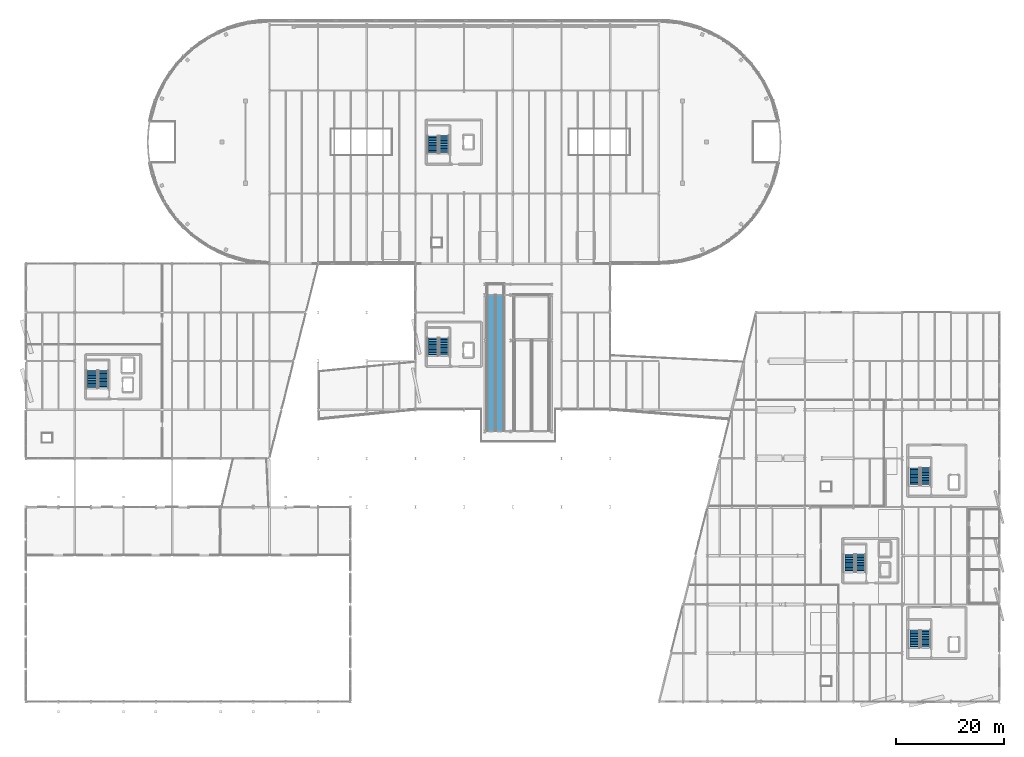
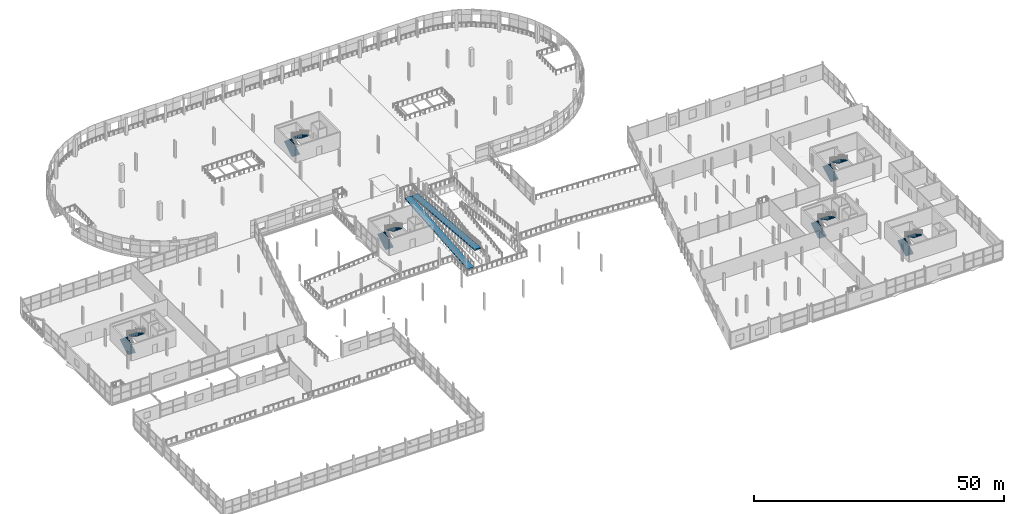
# One storey, part 119 of 135: 12 stair flights, 2 ramp flights, 7 elements without a shape of their own.
"""IFC4 building model written with IfcOpenShell, lengths in metres."""

import ifcopenshell
import ifcopenshell.guid

model = None  # the IFC model being written
_history = None  # IfcOwnerHistory: only IFC2X3 demands one
_inside = {}  # id of a spatial element -> (the spatial element, [elements in it])
_under = {}  # id of a project, library or spatial element -> (it, [spatial elements below it])
_declared = {}  # id of a project -> (the project, [libraries it declares])
_typed = {}  # id of a type object -> (the type object, [elements of that type])
_made_of = {}  # id of a material, layer set ... -> (it, [elements and type objects made of it])


def new_model(schema):
    """Start an empty IFC model of exactly this schema.

    Asked for "IFC4X3", IfcOpenShell would pick the latest addendum, in which some entities
    have other attributes; the version numbers below select the first issue.
    IFC2X3 requires an IfcOwnerHistory on every rooted entity: one is made here for all.
    """
    global model, _history
    if schema == "IFC4X3":
        model = ifcopenshell.file(schema_version=(4, 3, 0, 0))
    else:
        model = ifcopenshell.file(schema=schema)
    _inside.clear()
    _under.clear()
    _declared.clear()
    _typed.clear()
    _made_of.clear()
    _history = None
    if model.schema == "IFC2X3":
        org = make("IfcOrganization", Name="unknown")
        user = make(
            "IfcPersonAndOrganization",
            ThePerson=make("IfcPerson", FamilyName="unknown"),
            TheOrganization=org,
        )
        app = make(
            "IfcApplication",
            ApplicationDeveloper=org,
            Version="unknown",
            ApplicationFullName="unknown",
            ApplicationIdentifier="unknown",
        )
        _history = make(
            "IfcOwnerHistory",
            OwningUser=user,
            OwningApplication=app,
            ChangeAction="ADDED",
            CreationDate=0,
        )
    return model


def make(cls, **values):
    """One entity of the class cls with the attributes given. An attribute that is None is left unset."""
    return model.create_entity(
        cls, **{name: value for name, value in values.items() if value is not None}
    )


def rooted(cls, **values):
    """An entity with a GlobalId (a new one), such as an element, a storey or a relation."""
    return make(cls, GlobalId=ifcopenshell.guid.new(), OwnerHistory=_history, **values)


def si_unit(unit_type, name, prefix=None):
    """IfcSIUnit, for example si_unit("LENGTHUNIT", "METRE", prefix="MILLI")."""
    return make("IfcSIUnit", UnitType=unit_type, Prefix=prefix, Name=name)


def assignment(units):
    """IfcUnitAssignment: the units of a project."""
    return None if units is None else make("IfcUnitAssignment", Units=units)


def point(xyz):
    """IfcCartesianPoint."""
    return None if xyz is None else make("IfcCartesianPoint", Coordinates=xyz)


def direction(xyz):
    """IfcDirection."""
    return None if xyz is None else make("IfcDirection", DirectionRatios=xyz)


def frame(location, z_axis=None, x_axis=None):
    """IfcAxis2Placement3D, a coordinate frame: its origin and axes. An axis left out is left unset."""
    return make(
        "IfcAxis2Placement3D",
        Location=point(location),
        Axis=direction(z_axis),
        RefDirection=direction(x_axis),
    )


def origin():
    """The frame at (0, 0, 0) with its axes left unset."""
    return frame((0.0, 0.0, 0.0))


def place(relative_to, where):
    """IfcLocalPlacement: puts the frame where relative to a parent placement (None: the world)."""
    return make(
        "IfcLocalPlacement", PlacementRelTo=relative_to, RelativePlacement=where
    )


def context(
    kind, dimensions, precision=None, world=None, true_north=None, identifier=None
):
    """IfcGeometricRepresentationContext, for example the 3D "Model" context."""
    return make(
        "IfcGeometricRepresentationContext",
        ContextIdentifier=identifier,
        ContextType=kind,
        CoordinateSpaceDimension=dimensions,
        Precision=precision,
        WorldCoordinateSystem=world,
        TrueNorth=true_north,
    )


def subcontext(parent, identifier, kind, view, scale=None):
    """IfcGeometricRepresentationSubContext, for example "Body" below "Model"."""
    return make(
        "IfcGeometricRepresentationSubContext",
        ContextIdentifier=identifier,
        ContextType=kind,
        ParentContext=parent,
        TargetScale=scale,
        TargetView=view,
    )


def project(units=None, contexts=None):
    """IfcProject with its units and contexts."""
    return rooted(
        "IfcProject",
        Name="project",
        RepresentationContexts=contexts,
        UnitsInContext=assignment(units),
    )


def spatial(cls, under=None, at=None, **own):
    """A site, building, storey or space (cls), placed at a placement, below another one or the project."""
    s = rooted(cls, ObjectPlacement=at, **own)
    if under is not None:
        _under.setdefault(under.id(), (under, []))[1].append(s)
    return s


def polyline(points):
    """IfcPolyline through the points."""
    return make("IfcPolyline", Points=[point(p) for p in points])


def outline(outer, holes=None, kind="AREA"):
    """IfcArbitraryClosedProfileDef: a profile drawn as a closed curve; with holes, ...WithVoids."""
    if holes is None:
        return make("IfcArbitraryClosedProfileDef", ProfileType=kind, OuterCurve=outer)
    return make(
        "IfcArbitraryProfileDefWithVoids",
        ProfileType=kind,
        OuterCurve=outer,
        InnerCurves=holes,
    )


def extrude(swept, where, along, depth):
    """IfcExtrudedAreaSolid: the profile swept, set in the frame where, extruded along a direction by depth."""
    return make(
        "IfcExtrudedAreaSolid",
        SweptArea=swept,
        Position=where,
        ExtrudedDirection=direction(along),
        Depth=depth,
    )


def shape(context_of_items, identifier, shape_type, items):
    """IfcShapeRepresentation: the items that make up one representation, for example the "Body"."""
    return make(
        "IfcShapeRepresentation",
        ContextOfItems=context_of_items,
        RepresentationIdentifier=identifier,
        RepresentationType=shape_type,
        Items=items,
    )


def material(Name=None, Category=None):
    """IfcMaterial."""
    return make("IfcMaterial", Name=Name, Category=Category)


def layer(
    of_material, thickness, ventilated=None, Name=None, Category=None, Priority=None
):
    """IfcMaterialLayer: one layer of a wall or slab, of a material (None: an air gap)."""
    return make(
        "IfcMaterialLayer",
        Material=of_material,
        LayerThickness=thickness,
        IsVentilated=ventilated,
        Name=Name,
        Category=Category,
        Priority=Priority,
    )


def layer_set(layers, Name=None):
    """IfcMaterialLayerSet."""
    return make("IfcMaterialLayerSet", MaterialLayers=layers, LayerSetName=Name)


def made_of(thing, what):
    """Note that an element or type object is made of a material, layer set ...; save() writes the relation."""
    if what is not None:
        _made_of.setdefault(what.id(), (what, []))[1].append(thing)
    return thing


def type_object(cls, material=None, **own):
    """A type object (cls), such as IfcWallType, which elements share."""
    return made_of(rooted(cls, **own), material)


def element(
    cls,
    number,
    at=None,
    inside=None,
    cuts=None,
    type_object=None,
    material=None,
    context=None,
    identifier="Body",
    shape_type=None,
    held_by="IfcProductDefinitionShape",
    body=None,
    shapes=None,
    **own,
):
    """One element of the class cls, such as IfcWall. Its Tag is "e" and its number.

    at: its placement. inside: the storey or other place that contains it. cuts: it is an
    opening in that element (IfcRelVoidsElement). A single representation is given by context,
    identifier, shape_type and body (its items); several are given by shapes. held_by: the class
    of the entity that holds the representations. save() writes the other relations.
    """
    e = rooted(cls, Tag="e%d" % number, ObjectPlacement=at, **own)
    if body is not None:
        shapes = [shape(context, identifier, shape_type, body)]
    if shapes is not None:
        e.Representation = make(held_by, Representations=shapes)
    if inside is not None:
        _inside.setdefault(inside.id(), (inside, []))[1].append(e)
    if cuts is not None:
        rooted(
            "IfcRelVoidsElement", RelatingBuildingElement=cuts, RelatedOpeningElement=e
        )
    if type_object is not None:
        _typed.setdefault(type_object.id(), (type_object, []))[1].append(e)
    return made_of(e, material)


def aggregate(whole, parts):
    """IfcRelAggregates: a whole, such as a stair, and the parts it consists of."""
    return rooted("IfcRelAggregates", RelatingObject=whole, RelatedObjects=parts)


def save(model, path):
    """Write the relations noted so far, then the file.

    IfcRelAggregates (storeys below a building ...), IfcRelContainedInSpatialStructure (elements
    in a storey), IfcRelDefinesByType, IfcRelAssociatesMaterial and IfcRelDeclares: one each for
    every whole, place, type object, material and project.
    """
    for whole, parts in _under.values():
        aggregate(whole, parts)
    for where, things in _inside.values():
        rooted(
            "IfcRelContainedInSpatialStructure",
            RelatedElements=things,
            RelatingStructure=where,
        )
    for kind, things in _typed.values():
        rooted("IfcRelDefinesByType", RelatedObjects=things, RelatingType=kind)
    for what, things in _made_of.values():
        rooted("IfcRelAssociatesMaterial", RelatedObjects=things, RelatingMaterial=what)
    for by, libraries in _declared.values():
        rooted("IfcRelDeclares", RelatingContext=by, RelatedDefinitions=libraries)
    model.write(path)


model = new_model("IFC4")

# Units and contexts
model_context = context("Model", 3, precision=1e-05, world=origin(), true_north=direction((0.0, 1.0)))
body_context = subcontext(model_context, "Body", "Model", "MODEL_VIEW")
ifc_project = project(units=[si_unit("LENGTHUNIT", "METRE"), si_unit("AREAUNIT", "SQUARE_METRE"), si_unit("VOLUMEUNIT", "CUBIC_METRE"), si_unit("PLANEANGLEUNIT", "RADIAN"), si_unit("MASSUNIT", "GRAM", prefix="KILO")], contexts=[model_context])

# Site, building, storey
site_placement = place(None, origin())
site = spatial("IfcSite", under=ifc_project, at=site_placement, CompositionType="ELEMENT")
building_placement = place(site_placement, origin())
building = spatial("IfcBuilding", under=site, at=building_placement, Name="Deido Ridge Mobility Hub", CompositionType="ELEMENT")
storey_placement = place(building_placement, frame((0.0, 0.0, 4.199951171875)))
storey = spatial("IfcBuildingStorey", under=building, at=storey_placement, Name="L01", CompositionType="ELEMENT", Elevation=4.199951171875)

# Stair, stair flights
ifc_material = material(Name="Concrete C35/45", Category="concrete")
stair_type_1 = type_object("IfcStairType", Name="ST-CORE-HALF-1520", PredefinedType="HALF_TURN_STAIR", material=ifc_material)
stair_1_placement = place(storey_placement, origin())
stair_1 = element("IfcStair", 1, at=stair_1_placement, inside=storey, type_object=stair_type_1, Name="Protected exit stair ST2 (L01)", PredefinedType="HALF_TURN_STAIR")
stair_flight_type_1 = type_object("IfcStairFlightType", Name="SFL-RC-1520", PredefinedType="STRAIGHT", material=ifc_material)
stair_flight_1_placement = place(storey_placement, frame((164.2900390625, 39.949951171875, 0.0), z_axis=(0.0, 0.0, 1.0), x_axis=(0.0, 1.0, 0.0)))
stair_flight_1 = element("IfcStairFlight", 2, at=stair_flight_1_placement, type_object=stair_flight_type_1, Name="ST2 flight 1", NumberOfRisers=12, NumberOfTreads=11, PredefinedType="STRAIGHT", RiserHeight=0.175, TreadLength=0.3, context=body_context, shape_type="SweptSolid", body=[
    extrude(outline(polyline([(0.0, 0.0), (0.0, 0.175048828125), (0.300048828125, 0.175048828125), (0.300048828125, 0.35009765625), (0.60009765625, 0.35009765625), (0.60009765625, 0.52490234375), (0.89990234375, 0.52490234375), (0.89990234375, 0.699951171875), (1.199951171875, 0.699951171875), (1.199951171875, 0.875), (1.5, 0.875), (1.5, 1.050048828125), (1.800048828125, 1.050048828125), (1.800048828125, 1.22509765625), (2.10009765625, 1.22509765625), (2.10009765625, 1.39990234375), (2.39990234375, 1.39990234375), (2.39990234375, 1.574951171875), (2.699951171875, 1.574951171875), (2.699951171875, 1.75), (3.0, 1.75), (3.0, 1.925048828125), (3.300048828125, 1.925048828125), (3.300048828125, 2.10009765625), (3.300048828125, 1.716796875), (0.357177734375, 0.0), (0.0, 0.0)])), frame((0.0, 0.89013671875, 0.0), z_axis=(0.0, -1.0, 0.0), x_axis=(1.0, 0.0, 0.0)), (0.0, 0.0, 1.0), 1.780029296875),
])
stair_flight_2_placement = place(storey_placement, frame((166.31005859375, 43.300048828125, 2.10009765625), z_axis=(0.0, 0.0, 1.0), x_axis=(0.0, -1.0, 0.0)))
stair_flight_2 = element("IfcStairFlight", 3, at=stair_flight_2_placement, type_object=stair_flight_type_1, Name="ST2 flight 2", NumberOfRisers=12, NumberOfTreads=11, PredefinedType="STRAIGHT", RiserHeight=0.175, TreadLength=0.3, context=body_context, shape_type="SweptSolid", body=[
    extrude(outline(polyline([(0.0, 0.0), (0.0, 0.175048828125), (0.300048828125, 0.175048828125), (0.300048828125, 0.35009765625), (0.60009765625, 0.35009765625), (0.60009765625, 0.52490234375), (0.89990234375, 0.52490234375), (0.89990234375, 0.699951171875), (1.199951171875, 0.699951171875), (1.199951171875, 0.875), (1.5, 0.875), (1.5, 1.050048828125), (1.800048828125, 1.050048828125), (1.800048828125, 1.22509765625), (2.10009765625, 1.22509765625), (2.10009765625, 1.39990234375), (2.39990234375, 1.39990234375), (2.39990234375, 1.574951171875), (2.699951171875, 1.574951171875), (2.699951171875, 1.75), (3.0, 1.75), (3.0, 1.925048828125), (3.300048828125, 1.925048828125), (3.300048828125, 2.10009765625), (3.300048828125, 1.716796875), (0.357177734375, 0.0), (0.0, 0.0)])), frame((0.0, 0.89013671875, 0.0), z_axis=(0.0, -1.0, 0.0), x_axis=(1.0, 0.0, 0.0)), (0.0, 0.0, 1.0), 1.780029296875),
])
aggregate(stair_1, [stair_flight_1, stair_flight_2])

stair_2_placement = place(storey_placement, origin())
stair_2 = element("IfcStair", 4, at=stair_2_placement, inside=storey, type_object=stair_type_1, Name="Protected exit stair ST3 (L01)", PredefinedType="HALF_TURN_STAIR")
stair_flight_3_placement = place(storey_placement, frame((152.2900390625, 23.949951171875, 0.0), z_axis=(0.0, 0.0, 1.0), x_axis=(0.0, 1.0, 0.0)))
stair_flight_3 = element("IfcStairFlight", 5, at=stair_flight_3_placement, type_object=stair_flight_type_1, Name="ST3 flight 1", NumberOfRisers=12, NumberOfTreads=11, PredefinedType="STRAIGHT", RiserHeight=0.175, TreadLength=0.3, context=body_context, shape_type="SweptSolid", body=[
    extrude(outline(polyline([(0.0, 0.0), (0.0, 0.175048828125), (0.300048828125, 0.175048828125), (0.300048828125, 0.35009765625), (0.60009765625, 0.35009765625), (0.60009765625, 0.52490234375), (0.89990234375, 0.52490234375), (0.89990234375, 0.699951171875), (1.199951171875, 0.699951171875), (1.199951171875, 0.875), (1.5, 0.875), (1.5, 1.050048828125), (1.800048828125, 1.050048828125), (1.800048828125, 1.22509765625), (2.10009765625, 1.22509765625), (2.10009765625, 1.39990234375), (2.39990234375, 1.39990234375), (2.39990234375, 1.574951171875), (2.699951171875, 1.574951171875), (2.699951171875, 1.75), (3.0, 1.75), (3.0, 1.925048828125), (3.300048828125, 1.925048828125), (3.300048828125, 2.10009765625), (3.300048828125, 1.716796875), (0.357177734375, 0.0), (0.0, 0.0)])), frame((0.0, 0.89013671875, 0.0), z_axis=(0.0, -1.0, 0.0), x_axis=(1.0, 0.0, 0.0)), (0.0, 0.0, 1.0), 1.780029296875),
])
stair_flight_4_placement = place(storey_placement, frame((154.31005859375, 27.300048828125, 2.10009765625), z_axis=(0.0, 0.0, 1.0), x_axis=(0.0, -1.0, 0.0)))
stair_flight_4 = element("IfcStairFlight", 6, at=stair_flight_4_placement, type_object=stair_flight_type_1, Name="ST3 flight 2", NumberOfRisers=12, NumberOfTreads=11, PredefinedType="STRAIGHT", RiserHeight=0.175, TreadLength=0.3, context=body_context, shape_type="SweptSolid", body=[
    extrude(outline(polyline([(0.0, 0.0), (0.0, 0.175048828125), (0.300048828125, 0.175048828125), (0.300048828125, 0.35009765625), (0.60009765625, 0.35009765625), (0.60009765625, 0.52490234375), (0.89990234375, 0.52490234375), (0.89990234375, 0.699951171875), (1.199951171875, 0.699951171875), (1.199951171875, 0.875), (1.5, 0.875), (1.5, 1.050048828125), (1.800048828125, 1.050048828125), (1.800048828125, 1.22509765625), (2.10009765625, 1.22509765625), (2.10009765625, 1.39990234375), (2.39990234375, 1.39990234375), (2.39990234375, 1.574951171875), (2.699951171875, 1.574951171875), (2.699951171875, 1.75), (3.0, 1.75), (3.0, 1.925048828125), (3.300048828125, 1.925048828125), (3.300048828125, 2.10009765625), (3.300048828125, 1.716796875), (0.357177734375, 0.0), (0.0, 0.0)])), frame((0.0, 0.89013671875, 0.0), z_axis=(0.0, -1.0, 0.0), x_axis=(1.0, 0.0, 0.0)), (0.0, 0.0, 1.0), 1.780029296875),
])
aggregate(stair_2, [stair_flight_3, stair_flight_4])

stair_type_2 = type_object("IfcStairType", Name="ST-CORE-DBL-1520", PredefinedType="DOUBLE_RETURN_STAIR", material=ifc_material)
stair_3_placement = place(storey_placement, origin())
stair_3 = element("IfcStair", 7, at=stair_3_placement, inside=storey, type_object=stair_type_2, Name="Protected exit stair ST4 (L01)", PredefinedType="DOUBLE_RETURN_STAIR")
stair_flight_5_placement = place(storey_placement, frame((75.2900390625, 63.949951171875, 0.0), z_axis=(0.0, 0.0, 1.0), x_axis=(0.0, 1.0, 0.0)))
stair_flight_5 = element("IfcStairFlight", 8, at=stair_flight_5_placement, type_object=stair_flight_type_1, Name="ST4 flight 1", NumberOfRisers=12, NumberOfTreads=11, PredefinedType="STRAIGHT", RiserHeight=0.175, TreadLength=0.3, context=body_context, shape_type="SweptSolid", body=[
    extrude(outline(polyline([(0.0, 0.0), (0.0, 0.175048828125), (0.300048828125, 0.175048828125), (0.300048828125, 0.35009765625), (0.60009765625, 0.35009765625), (0.60009765625, 0.52490234375), (0.89990234375, 0.52490234375), (0.89990234375, 0.699951171875), (1.199951171875, 0.699951171875), (1.199951171875, 0.875), (1.5, 0.875), (1.5, 1.050048828125), (1.800048828125, 1.050048828125), (1.800048828125, 1.22509765625), (2.10009765625, 1.22509765625), (2.10009765625, 1.39990234375), (2.39990234375, 1.39990234375), (2.39990234375, 1.574951171875), (2.699951171875, 1.574951171875), (2.699951171875, 1.75), (3.0, 1.75), (3.0, 1.925048828125), (3.300048828125, 1.925048828125), (3.300048828125, 2.10009765625), (3.300048828125, 1.716796875), (0.357177734375, 0.0), (0.0, 0.0)])), frame((0.0, 0.89013671875, 0.0), z_axis=(0.0, -1.0, 0.0), x_axis=(1.0, 0.0, 0.0)), (0.0, 0.0, 1.0), 1.780029296875),
])
stair_flight_6_placement = place(storey_placement, frame((77.31005859375, 67.300048828125, 2.10009765625), z_axis=(0.0, 0.0, 1.0), x_axis=(0.0, -1.0, 0.0)))
stair_flight_6 = element("IfcStairFlight", 9, at=stair_flight_6_placement, type_object=stair_flight_type_1, Name="ST4 flight 2", NumberOfRisers=12, NumberOfTreads=11, PredefinedType="STRAIGHT", RiserHeight=0.175, TreadLength=0.3, context=body_context, shape_type="SweptSolid", body=[
    extrude(outline(polyline([(0.0, 0.0), (0.0, 0.175048828125), (0.300048828125, 0.175048828125), (0.300048828125, 0.35009765625), (0.60009765625, 0.35009765625), (0.60009765625, 0.52490234375), (0.89990234375, 0.52490234375), (0.89990234375, 0.699951171875), (1.199951171875, 0.699951171875), (1.199951171875, 0.875), (1.5, 0.875), (1.5, 1.050048828125), (1.800048828125, 1.050048828125), (1.800048828125, 1.22509765625), (2.10009765625, 1.22509765625), (2.10009765625, 1.39990234375), (2.39990234375, 1.39990234375), (2.39990234375, 1.574951171875), (2.699951171875, 1.574951171875), (2.699951171875, 1.75), (3.0, 1.75), (3.0, 1.925048828125), (3.300048828125, 1.925048828125), (3.300048828125, 2.10009765625), (3.300048828125, 1.716796875), (0.357177734375, 0.0), (0.0, 0.0)])), frame((0.0, 0.89013671875, 0.0), z_axis=(0.0, -1.0, 0.0), x_axis=(1.0, 0.0, 0.0)), (0.0, 0.0, 1.0), 1.780029296875),
])
aggregate(stair_3, [stair_flight_5, stair_flight_6])

stair_4_placement = place(storey_placement, origin())
stair_4 = element("IfcStair", 10, at=stair_4_placement, inside=storey, type_object=stair_type_2, Name="Protected exit stair ST5 (L01)", PredefinedType="DOUBLE_RETURN_STAIR")
stair_flight_7_placement = place(storey_placement, frame((75.2900390625, 101.35009765625, 0.0), z_axis=(0.0, 0.0, 1.0), x_axis=(0.0, 1.0, 0.0)))
stair_flight_7 = element("IfcStairFlight", 11, at=stair_flight_7_placement, type_object=stair_flight_type_1, Name="ST5 flight 1", NumberOfRisers=12, NumberOfTreads=11, PredefinedType="STRAIGHT", RiserHeight=0.175, TreadLength=0.3, context=body_context, shape_type="SweptSolid", body=[
    extrude(outline(polyline([(0.0, 0.0), (0.0, 0.175048828125), (0.300048828125, 0.175048828125), (0.300048828125, 0.35009765625), (0.60009765625, 0.35009765625), (0.60009765625, 0.52490234375), (0.89990234375, 0.52490234375), (0.89990234375, 0.699951171875), (1.199951171875, 0.699951171875), (1.199951171875, 0.875), (1.5, 0.875), (1.5, 1.050048828125), (1.800048828125, 1.050048828125), (1.800048828125, 1.22509765625), (2.10009765625, 1.22509765625), (2.10009765625, 1.39990234375), (2.39990234375, 1.39990234375), (2.39990234375, 1.574951171875), (2.699951171875, 1.574951171875), (2.699951171875, 1.75), (3.0, 1.75), (3.0, 1.925048828125), (3.300048828125, 1.925048828125), (3.300048828125, 2.10009765625), (3.300048828125, 1.716796875), (0.357177734375, 0.0), (0.0, 0.0)])), frame((0.0, 0.89013671875, 0.0), z_axis=(0.0, -1.0, 0.0), x_axis=(1.0, 0.0, 0.0)), (0.0, 0.0, 1.0), 1.780029296875),
])
stair_flight_8_placement = place(storey_placement, frame((77.31005859375, 104.699951171875, 2.10009765625), z_axis=(0.0, 0.0, 1.0), x_axis=(0.0, -1.0, 0.0)))
stair_flight_8 = element("IfcStairFlight", 12, at=stair_flight_8_placement, type_object=stair_flight_type_1, Name="ST5 flight 2", NumberOfRisers=12, NumberOfTreads=11, PredefinedType="STRAIGHT", RiserHeight=0.175, TreadLength=0.3, context=body_context, shape_type="SweptSolid", body=[
    extrude(outline(polyline([(0.0, 0.0), (0.0, 0.175048828125), (0.300048828125, 0.175048828125), (0.300048828125, 0.35009765625), (0.60009765625, 0.35009765625), (0.60009765625, 0.52490234375), (0.89990234375, 0.52490234375), (0.89990234375, 0.699951171875), (1.199951171875, 0.699951171875), (1.199951171875, 0.875), (1.5, 0.875), (1.5, 1.050048828125), (1.800048828125, 1.050048828125), (1.800048828125, 1.22509765625), (2.10009765625, 1.22509765625), (2.10009765625, 1.39990234375), (2.39990234375, 1.39990234375), (2.39990234375, 1.574951171875), (2.699951171875, 1.574951171875), (2.699951171875, 1.75), (3.0, 1.75), (3.0, 1.925048828125), (3.300048828125, 1.925048828125), (3.300048828125, 2.10009765625), (3.300048828125, 1.716796875), (0.357177734375, 0.0), (0.0, 0.0)])), frame((0.0, 0.89013671875, 0.0), z_axis=(0.0, -1.0, 0.0), x_axis=(1.0, 0.0, 0.0)), (0.0, 0.0, 1.0), 1.780029296875),
])
aggregate(stair_4, [stair_flight_7, stair_flight_8])

stair_5_placement = place(storey_placement, origin())
stair_5 = element("IfcStair", 13, at=stair_5_placement, inside=storey, type_object=stair_type_1, Name="Protected exit stair ST6 (L01)", PredefinedType="HALF_TURN_STAIR")
stair_flight_9_placement = place(storey_placement, frame((12.2900390625, 57.949951171875, 0.0), z_axis=(0.0, 0.0, 1.0), x_axis=(0.0, 1.0, 0.0)))
stair_flight_9 = element("IfcStairFlight", 14, at=stair_flight_9_placement, type_object=stair_flight_type_1, Name="ST6 flight 1", NumberOfRisers=12, NumberOfTreads=11, PredefinedType="STRAIGHT", RiserHeight=0.175, TreadLength=0.3, context=body_context, shape_type="SweptSolid", body=[
    extrude(outline(polyline([(0.0, 0.0), (0.0, 0.175048828125), (0.300048828125, 0.175048828125), (0.300048828125, 0.35009765625), (0.60009765625, 0.35009765625), (0.60009765625, 0.52490234375), (0.89990234375, 0.52490234375), (0.89990234375, 0.699951171875), (1.199951171875, 0.699951171875), (1.199951171875, 0.875), (1.5, 0.875), (1.5, 1.050048828125), (1.800048828125, 1.050048828125), (1.800048828125, 1.22509765625), (2.10009765625, 1.22509765625), (2.10009765625, 1.39990234375), (2.39990234375, 1.39990234375), (2.39990234375, 1.574951171875), (2.699951171875, 1.574951171875), (2.699951171875, 1.75), (3.0, 1.75), (3.0, 1.925048828125), (3.300048828125, 1.925048828125), (3.300048828125, 2.10009765625), (3.300048828125, 1.716796875), (0.357177734375, 0.0), (0.0, 0.0)])), frame((0.0, 0.89013671875, 0.0), z_axis=(0.0, -1.0, 0.0), x_axis=(1.0, 0.0, 0.0)), (0.0, 0.0, 1.0), 1.780029296875),
])
stair_flight_10_placement = place(storey_placement, frame((14.31005859375, 61.300048828125, 2.10009765625), z_axis=(0.0, 0.0, 1.0), x_axis=(0.0, -1.0, 0.0)))
stair_flight_10 = element("IfcStairFlight", 15, at=stair_flight_10_placement, type_object=stair_flight_type_1, Name="ST6 flight 2", NumberOfRisers=12, NumberOfTreads=11, PredefinedType="STRAIGHT", RiserHeight=0.175, TreadLength=0.3, context=body_context, shape_type="SweptSolid", body=[
    extrude(outline(polyline([(0.0, 0.0), (0.0, 0.175048828125), (0.300048828125, 0.175048828125), (0.300048828125, 0.35009765625), (0.60009765625, 0.35009765625), (0.60009765625, 0.52490234375), (0.89990234375, 0.52490234375), (0.89990234375, 0.699951171875), (1.199951171875, 0.699951171875), (1.199951171875, 0.875), (1.5, 0.875), (1.5, 1.050048828125), (1.800048828125, 1.050048828125), (1.800048828125, 1.22509765625), (2.10009765625, 1.22509765625), (2.10009765625, 1.39990234375), (2.39990234375, 1.39990234375), (2.39990234375, 1.574951171875), (2.699951171875, 1.574951171875), (2.699951171875, 1.75), (3.0, 1.75), (3.0, 1.925048828125), (3.300048828125, 1.925048828125), (3.300048828125, 2.10009765625), (3.300048828125, 1.716796875), (0.357177734375, 0.0), (0.0, 0.0)])), frame((0.0, 0.89013671875, 0.0), z_axis=(0.0, -1.0, 0.0), x_axis=(1.0, 0.0, 0.0)), (0.0, 0.0, 1.0), 1.780029296875),
])
aggregate(stair_5, [stair_flight_9, stair_flight_10])

stair_6_placement = place(storey_placement, origin())
stair_6 = element("IfcStair", 16, at=stair_6_placement, inside=storey, type_object=stair_type_1, Name="Protected exit stair ST1 (L01)", PredefinedType="HALF_TURN_STAIR")
stair_flight_type_2 = type_object("IfcStairFlightType", Name="SFL-RC-1560", PredefinedType="STRAIGHT", material=ifc_material)
stair_flight_11_placement = place(storey_placement, frame((164.2900390625, 9.949951171875, 0.0), z_axis=(0.0, 0.0, 1.0), x_axis=(0.0, 1.0, 0.0)))
stair_flight_11 = element("IfcStairFlight", 17, at=stair_flight_11_placement, type_object=stair_flight_type_2, Name="ST1 flight 1", NumberOfRisers=12, NumberOfTreads=11, PredefinedType="STRAIGHT", RiserHeight=0.175, TreadLength=0.3, context=body_context, shape_type="SweptSolid", body=[
    extrude(outline(polyline([(0.0, 0.0), (0.0, 0.175048828125), (0.300048828125, 0.175048828125), (0.300048828125, 0.35009765625), (0.60009765625, 0.35009765625), (0.60009765625, 0.52490234375), (0.89990234375, 0.52490234375), (0.89990234375, 0.699951171875), (1.199951171875, 0.699951171875), (1.199951171875, 0.875), (1.5, 0.875), (1.5, 1.050048828125), (1.800048828125, 1.050048828125), (1.800048828125, 1.22509765625), (2.10009765625, 1.22509765625), (2.10009765625, 1.39990234375), (2.39990234375, 1.39990234375), (2.39990234375, 1.574951171875), (2.699951171875, 1.574951171875), (2.699951171875, 1.75), (3.0, 1.75), (3.0, 1.925048828125), (3.300048828125, 1.925048828125), (3.300048828125, 2.10009765625), (3.300048828125, 1.716796875), (0.357177734375, 0.0), (0.0, 0.0)])), frame((0.0, 0.89013671875, 0.0), z_axis=(0.0, -1.0, 0.0), x_axis=(1.0, 0.0, 0.0)), (0.0, 0.0, 1.0), 1.780029296875),
])
stair_flight_12_placement = place(storey_placement, frame((166.31005859375, 13.300048828125, 2.10009765625), z_axis=(0.0, 0.0, 1.0), x_axis=(0.0, -1.0, 0.0)))
stair_flight_12 = element("IfcStairFlight", 18, at=stair_flight_12_placement, type_object=stair_flight_type_2, Name="ST1 flight 2", NumberOfRisers=12, NumberOfTreads=11, PredefinedType="STRAIGHT", RiserHeight=0.175, TreadLength=0.3, context=body_context, shape_type="SweptSolid", body=[
    extrude(outline(polyline([(0.0, 0.0), (0.0, 0.175048828125), (0.300048828125, 0.175048828125), (0.300048828125, 0.35009765625), (0.60009765625, 0.35009765625), (0.60009765625, 0.52490234375), (0.89990234375, 0.52490234375), (0.89990234375, 0.699951171875), (1.199951171875, 0.699951171875), (1.199951171875, 0.875), (1.5, 0.875), (1.5, 1.050048828125), (1.800048828125, 1.050048828125), (1.800048828125, 1.22509765625), (2.10009765625, 1.22509765625), (2.10009765625, 1.39990234375), (2.39990234375, 1.39990234375), (2.39990234375, 1.574951171875), (2.699951171875, 1.574951171875), (2.699951171875, 1.75), (3.0, 1.75), (3.0, 1.925048828125), (3.300048828125, 1.925048828125), (3.300048828125, 2.10009765625), (3.300048828125, 1.716796875), (0.357177734375, 0.0), (0.0, 0.0)])), frame((0.0, 0.89013671875, 0.0), z_axis=(0.0, -1.0, 0.0), x_axis=(1.0, 0.0, 0.0)), (0.0, 0.0, 1.0), 1.780029296875),
])
aggregate(stair_6, [stair_flight_11, stair_flight_12])

# Ramp, ramp flights
ramp_type = type_object("IfcRampType", Name="RAMP-CYC-STRAIGHT", PredefinedType="STRAIGHT_RUN_RAMP", material=ifc_material)
ramp_placement = place(storey_placement, origin())
ramp = element("IfcRamp", 19, at=ramp_placement, inside=storey, type_object=ramp_type, Name="Cycle and accessible ramp CR1 L01", PredefinedType="STRAIGHT_RUN_RAMP")
ifc_layer = layer(ifc_material, 0.284912109375, Name="Concrete C35/45")
ifc_layer_set = layer_set([ifc_layer], Name="Concrete C35/45")
ramp_flight_type = type_object("IfcRampFlightType", Name="RFL-CYC-220", PredefinedType="STRAIGHT", material=ifc_layer_set)
ramp_flight_1_placement = place(storey_placement, frame((86.0, 50.0, 0.0), z_axis=(0.0, 0.0, 1.0), x_axis=(0.0, 1.0, 0.0)))
ramp_flight_1 = element("IfcRampFlight", 20, at=ramp_flight_1_placement, type_object=ramp_flight_type, Name="Cycle ramp flight L01-1", PredefinedType="STRAIGHT", context=body_context, shape_type="SweptSolid", body=[
    extrude(outline(polyline([(0.0, 0.0), (0.0, -0.284912109375), (25.199951171875, 1.815185546875), (25.199951171875, 2.10009765625), (0.0, 0.0)])), frame((0.0, 0.72509765625, 0.0), z_axis=(0.0, -1.0, 0.0), x_axis=(1.0, 0.0, 0.0)), (0.0, 0.0, 1.0), 1.449951171875),
])
ramp_flight_2_placement = place(storey_placement, frame((87.60009765625, 75.199951171875, 2.10009765625), z_axis=(0.0, 0.0, 1.0), x_axis=(0.0, -1.0, 0.0)))
ramp_flight_2 = element("IfcRampFlight", 21, at=ramp_flight_2_placement, type_object=ramp_flight_type, Name="Cycle ramp flight L01-2", PredefinedType="STRAIGHT", context=body_context, shape_type="SweptSolid", body=[
    extrude(outline(polyline([(0.0, 0.0), (0.0, -0.284912109375), (25.199951171875, 1.815185546875), (25.199951171875, 2.10009765625), (0.0, 0.0)])), frame((0.0, 0.72509765625, 0.0), z_axis=(0.0, -1.0, 0.0), x_axis=(1.0, 0.0, 0.0)), (0.0, 0.0, 1.0), 1.449951171875),
])
aggregate(ramp, [ramp_flight_1, ramp_flight_2])

save(model, "model.ifc")
